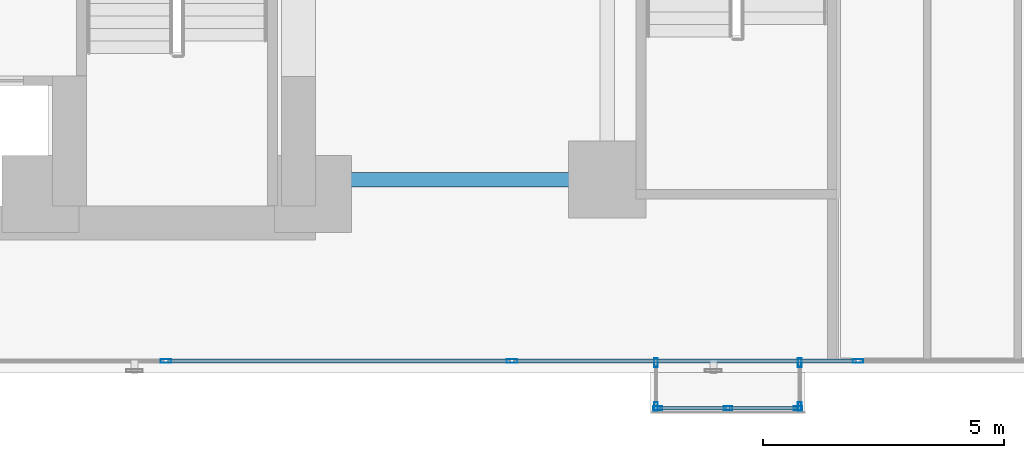
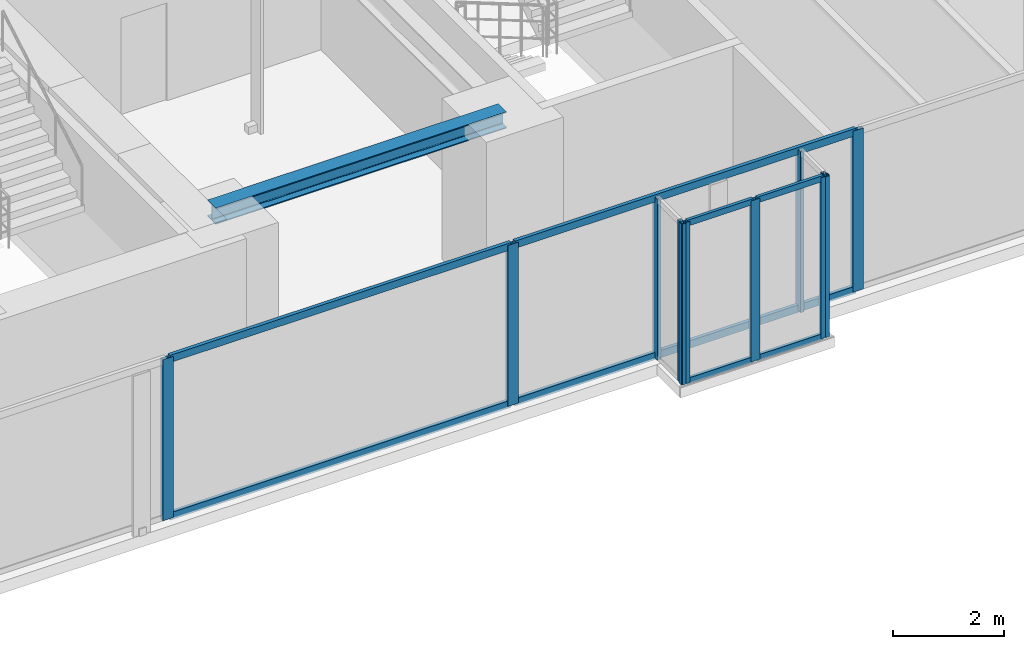
# One storey, part 4 of 27: 18 members, 1 beam, 4 elements without a shape of their own.
"""IFC4 building model written with IfcOpenShell, lengths in metres."""

from ifc_helpers import new_model, si_unit, direction, frame, origin, origin_with_axes, origin_2d, place, context, subcontext, project, spatial, hollow_rectangle, i_section, extrude, source, transform, mapped, material, layer, layer_set, material_profile, profile_set, type_object, element, aggregate, save


model = new_model("IFC4")

# Units and contexts
model_context = context("Model", 3, precision=1e-05, world=origin(), true_north=direction((0.0, 1.0)))
body_context = subcontext(model_context, "Body", "Model", "MODEL_VIEW")
ifc_project = project(units=[si_unit("LENGTHUNIT", "METRE"), si_unit("AREAUNIT", "SQUARE_METRE"), si_unit("VOLUMEUNIT", "CUBIC_METRE"), si_unit("PLANEANGLEUNIT", "RADIAN"), si_unit("MASSUNIT", "GRAM", prefix="KILO")], contexts=[model_context])

# Site, building, storey
site_placement = place(None, origin())
site = spatial("IfcSite", under=ifc_project, at=site_placement, CompositionType="ELEMENT")
building_placement = place(site_placement, origin())
building = spatial("IfcBuilding", under=site, at=building_placement, Name="Kolvaren Waterfront Exchange", CompositionType="ELEMENT")
storey_placement = place(building_placement, frame((0.0, 0.0, 63.800048828125)))
storey = spatial("IfcBuildingStorey", under=building, at=storey_placement, Name="L16", CompositionType="ELEMENT", Elevation=63.800048828125)

# Beam
ifc_material_1 = material(Name="Steel S355", Category="steel")
ifc_material_profile_1 = material_profile(ifc_material_1, i_section(OverallWidth=0.300048828125, OverallDepth=0.360107421875, WebThickness=0.012451171875, FlangeThickness=0.0224609375, FilletRadius=0.027099609375, at=origin_2d()), Name="HEB360")
ifc_profile_set_1 = profile_set([ifc_material_profile_1], Name="Steel S355")
beam_type = type_object("IfcBeamType", Name="STR-BM-HEB360", PredefinedType="SPANDREL", material=ifc_profile_set_1)
beam_placement = place(storey_placement, frame((21.14990234375, 5.199951171875, 3.35986328125), z_axis=(1.0, 0.0, 0.0), x_axis=(0.0, 1.0, 0.0)))
element("IfcBeam", 1, at=beam_placement, inside=storey, type_object=beam_type, Name="L16 east-arm spandrel S1", PredefinedType="SPANDREL", context=body_context, shape_type="SweptSolid", body=[
    extrude(i_section(OverallWidth=0.300048828125, OverallDepth=0.360107421875, WebThickness=0.012451171875, FlangeThickness=0.0224609375, FilletRadius=0.027099609375, at=origin_2d()), origin(), (0.0, 0.0, 1.0), 6.050048828125),
])

# Curtain wall, members
ifc_material_2 = material(Name="Anodised bronze aluminium 6063-T6", Category="aluminium")
ifc_layer_1 = layer(ifc_material_2, 0.219970703125, Name="Anodised bronze aluminium 6063-T6")
ifc_layer_set_1 = layer_set([ifc_layer_1], Name="Anodised bronze aluminium 6063-T6")
curtain_wall_type_1 = type_object("IfcCurtainWallType", Name="ARC-CW-SYS1", PredefinedType="USERDEFINED", material=ifc_layer_set_1)
curtain_wall_1_placement = place(storey_placement, origin())
curtain_wall_1 = element("IfcCurtainWall", 2, at=curtain_wall_1_placement, inside=storey, type_object=curtain_wall_type_1, Name="L16 stick curtain wall CW1 (CW-L16-S)", ObjectType="STICK CURTAIN WALL", PredefinedType="USERDEFINED")
ifc_material_3 = material(Name="Anodised aluminium 6063-T6", Category="aluminium")
ifc_material_profile_2 = material_profile(ifc_material_3, hollow_rectangle(XDim=0.074951171875, YDim=0.159912109375, WallThickness=0.00439453125, at=origin_2d()), Name="ALU-TRN-160x75x4.5")
ifc_profile_set_2 = profile_set([ifc_material_profile_2], Name="Anodised aluminium 6063-T6")
member_type_1 = type_object("IfcMemberType", Name="ARC-CWT-160", PredefinedType="USERDEFINED", material=ifc_profile_set_2)
shared_shape_1 = source(origin_with_axes(), body_context, "Body", "SweptSolid", [
    extrude(hollow_rectangle(XDim=0.074951171875, YDim=0.159912109375, WallThickness=0.00439453125, at=origin_2d()), origin(), (0.0, 0.0, 1.0), 7.094970703125),
])
member_1_placement = place(storey_placement, frame((18.090087890625, 1.43994140625, 0.037353515625), z_axis=(1.0, 0.0, 0.0), x_axis=(0.0, 1.0, 0.0)))
member_1 = element("IfcMember", 3, at=member_1_placement, type_object=member_type_1, Name="CW1 transom 3.1", ObjectType="TRANSOM", PredefinedType="USERDEFINED", context=body_context, shape_type="MappedRepresentation", body=[
    mapped(shared_shape_1, transform((0.0, 0.0, 0.0), x_axis=(1.0, 0.0, 0.0), y_axis=(0.0, 1.0, 0.0), z_axis=(0.0, 0.0, 1.0), scale=1.0)),
])
member_2_placement = place(storey_placement, frame((18.090087890625, 1.43994140625, 3.50244140625), z_axis=(1.0, 0.0, 0.0), x_axis=(0.0, 1.0, 0.0)))
member_2 = element("IfcMember", 4, at=member_2_placement, type_object=member_type_1, Name="CW1 transom 3.2", ObjectType="TRANSOM", PredefinedType="USERDEFINED", context=body_context, shape_type="MappedRepresentation", body=[
    mapped(shared_shape_1, transform((0.0, 0.0, 0.0), x_axis=(1.0, 0.0, 0.0), y_axis=(0.0, 1.0, 0.0), z_axis=(0.0, 0.0, 1.0), scale=1.0)),
])
shared_shape_2 = source(origin_with_axes(), body_context, "Body", "SweptSolid", [
    extrude(hollow_rectangle(XDim=0.074951171875, YDim=0.159912109375, WallThickness=0.00439453125, at=origin_2d()), origin(), (0.0, 0.0, 1.0), 7.09521484375),
])
member_3_placement = place(storey_placement, frame((25.264892578125, 1.43994140625, 0.037353515625), z_axis=(1.0, 0.0, 0.0), x_axis=(0.0, 1.0, 0.0)))
member_3 = element("IfcMember", 5, at=member_3_placement, type_object=member_type_1, Name="CW1 transom 4.1", ObjectType="TRANSOM", PredefinedType="USERDEFINED", context=body_context, shape_type="MappedRepresentation", body=[
    mapped(shared_shape_2, transform((0.0, 0.0, 0.0), x_axis=(1.0, 0.0, 0.0), y_axis=(0.0, 1.0, 0.0), z_axis=(0.0, 0.0, 1.0), scale=1.0)),
])
member_4_placement = place(storey_placement, frame((25.264892578125, 1.43994140625, 3.50244140625), z_axis=(1.0, 0.0, 0.0), x_axis=(0.0, 1.0, 0.0)))
member_4 = element("IfcMember", 6, at=member_4_placement, type_object=member_type_1, Name="CW1 transom 4.2", ObjectType="TRANSOM", PredefinedType="USERDEFINED", context=body_context, shape_type="MappedRepresentation", body=[
    mapped(shared_shape_2, transform((0.0, 0.0, 0.0), x_axis=(1.0, 0.0, 0.0), y_axis=(0.0, 1.0, 0.0), z_axis=(0.0, 0.0, 1.0), scale=1.0)),
])

ifc_layer_2 = layer(ifc_material_2, 0.219970703125, Name="Anodised bronze aluminium 6063-T6")
ifc_layer_set_2 = layer_set([ifc_layer_2], Name="Anodised bronze aluminium 6063-T6")
curtain_wall_type_2 = type_object("IfcCurtainWallType", Name="ARC-CW-SYS3", PredefinedType="USERDEFINED", material=ifc_layer_set_2)
curtain_wall_2_placement = place(storey_placement, origin())
curtain_wall_2 = element("IfcCurtainWall", 7, at=curtain_wall_2_placement, inside=storey, type_object=curtain_wall_type_2, Name="L16 stick curtain wall CW3 (CW-L16-BOX-W)", ObjectType="STICK CURTAIN WALL", PredefinedType="USERDEFINED")
ifc_material_profile_3 = material_profile(ifc_material_2, hollow_rectangle(XDim=0.074951171875, YDim=0.179931640625, WallThickness=0.00439453125, at=origin_2d()), Name="ALU-MUL-180x75x4.5")
ifc_profile_set_3 = profile_set([ifc_material_profile_3], Name="Anodised bronze aluminium 6063-T6")
member_type_2 = type_object("IfcMemberType", Name="ARC-CWM-180", PredefinedType="MULLION", material=ifc_profile_set_3)
shared_shape_3 = source(origin_with_axes(), body_context, "Body", "SweptSolid", [
    extrude(hollow_rectangle(XDim=0.074951171875, YDim=0.179931640625, WallThickness=0.00439453125, at=origin_2d()), origin(), (0.0, 0.0, 1.0), 3.5400390625),
])
member_5_placement = place(storey_placement, frame((28.2099609375, 1.402587890625, 0.0), z_axis=(0.0, 0.0, 1.0), x_axis=(1.0, 0.0, 0.0)))
member_5 = element("IfcMember", 8, at=member_5_placement, type_object=member_type_2, Name="CW3 mullion 1", PredefinedType="MULLION", context=body_context, shape_type="MappedRepresentation", body=[
    mapped(shared_shape_3, transform((0.0, 0.0, 0.0), x_axis=(1.0, 0.0, 0.0), y_axis=(0.0, 1.0, 0.0), z_axis=(0.0, 0.0, 1.0), scale=1.0)),
])
member_6_placement = place(storey_placement, frame((28.2099609375, 0.49755859375, 0.0), z_axis=(0.0, 0.0, 1.0), x_axis=(1.0, 0.0, 0.0)))
member_6 = element("IfcMember", 9, at=member_6_placement, type_object=member_type_2, Name="CW3 mullion 2", PredefinedType="MULLION", context=body_context, shape_type="MappedRepresentation", body=[
    mapped(shared_shape_3, transform((0.0, 0.0, 0.0), x_axis=(1.0, 0.0, 0.0), y_axis=(0.0, 1.0, 0.0), z_axis=(0.0, 0.0, 1.0), scale=1.0)),
])
aggregate(curtain_wall_2, [member_5, member_6])

curtain_wall_3_placement = place(storey_placement, origin())
curtain_wall_3 = element("IfcCurtainWall", 10, at=curtain_wall_3_placement, inside=storey, type_object=curtain_wall_type_2, Name="L16 stick curtain wall CW3 (CW-L16-BOX)", ObjectType="STICK CURTAIN WALL", PredefinedType="USERDEFINED")
member_7_placement = place(storey_placement, frame((28.24755859375, 0.4599609375, 0.0), z_axis=(0.0, 0.0, 1.0), x_axis=(0.0, 1.0, 0.0)))
member_7 = element("IfcMember", 11, at=member_7_placement, type_object=member_type_2, Name="CW3 mullion 1", PredefinedType="MULLION", context=body_context, shape_type="MappedRepresentation", body=[
    mapped(shared_shape_3, transform((0.0, 0.0, 0.0), x_axis=(1.0, 0.0, 0.0), y_axis=(0.0, 1.0, 0.0), z_axis=(0.0, 0.0, 1.0), scale=1.0)),
])
member_8_placement = place(storey_placement, frame((29.699951171875, 0.4599609375, 0.0), z_axis=(0.0, 0.0, 1.0), x_axis=(0.0, 1.0, 0.0)))
member_8 = element("IfcMember", 12, at=member_8_placement, type_object=member_type_2, Name="CW3 mullion 2", PredefinedType="MULLION", context=body_context, shape_type="MappedRepresentation", body=[
    mapped(shared_shape_3, transform((0.0, 0.0, 0.0), x_axis=(1.0, 0.0, 0.0), y_axis=(0.0, 1.0, 0.0), z_axis=(0.0, 0.0, 1.0), scale=1.0)),
])
member_9_placement = place(storey_placement, frame((31.152587890625, 0.4599609375, 0.0), z_axis=(0.0, 0.0, 1.0), x_axis=(0.0, 1.0, 0.0)))
member_9 = element("IfcMember", 13, at=member_9_placement, type_object=member_type_2, Name="CW3 mullion 3", PredefinedType="MULLION", context=body_context, shape_type="MappedRepresentation", body=[
    mapped(shared_shape_3, transform((0.0, 0.0, 0.0), x_axis=(1.0, 0.0, 0.0), y_axis=(0.0, 1.0, 0.0), z_axis=(0.0, 0.0, 1.0), scale=1.0)),
])

curtain_wall_4_placement = place(storey_placement, origin())
curtain_wall_4 = element("IfcCurtainWall", 14, at=curtain_wall_4_placement, inside=storey, type_object=curtain_wall_type_2, Name="L16 stick curtain wall CW3 (CW-L16-BOX-E)", ObjectType="STICK CURTAIN WALL", PredefinedType="USERDEFINED")
member_10_placement = place(storey_placement, frame((31.18994140625, 0.49755859375, 0.0), z_axis=(0.0, 0.0, 1.0), x_axis=(-1.0, 0.0, 0.0)))
member_10 = element("IfcMember", 15, at=member_10_placement, type_object=member_type_2, Name="CW3 mullion 1", PredefinedType="MULLION", context=body_context, shape_type="MappedRepresentation", body=[
    mapped(shared_shape_3, transform((0.0, 0.0, 0.0), x_axis=(1.0, 0.0, 0.0), y_axis=(0.0, 1.0, 0.0), z_axis=(0.0, 0.0, 1.0), scale=1.0)),
])
member_11_placement = place(storey_placement, frame((31.18994140625, 1.402587890625, 0.0), z_axis=(0.0, 0.0, 1.0), x_axis=(-1.0, 0.0, 0.0)))
member_11 = element("IfcMember", 16, at=member_11_placement, type_object=member_type_2, Name="CW3 mullion 2", PredefinedType="MULLION", context=body_context, shape_type="MappedRepresentation", body=[
    mapped(shared_shape_3, transform((0.0, 0.0, 0.0), x_axis=(1.0, 0.0, 0.0), y_axis=(0.0, 1.0, 0.0), z_axis=(0.0, 0.0, 1.0), scale=1.0)),
])
aggregate(curtain_wall_4, [member_10, member_11])

# Member
ifc_material_profile_4 = material_profile(ifc_material_2, hollow_rectangle(XDim=0.06494140625, YDim=0.1298828125, WallThickness=0.00390625, at=origin_2d()), Name="ALU-TRN-130x65x4")
ifc_profile_set_4 = profile_set([ifc_material_profile_4], Name="Anodised bronze aluminium 6063-T6")
member_type_3 = type_object("IfcMemberType", Name="ARC-CWT-130", PredefinedType="USERDEFINED", material=ifc_profile_set_4)
shared_shape_4 = source(origin_with_axes(), body_context, "Body", "SweptSolid", [
    extrude(hollow_rectangle(XDim=0.06494140625, YDim=0.1298828125, WallThickness=0.00390625, at=origin_2d()), origin(), (0.0, 0.0, 1.0), 1.377685546875),
])
member_12_placement = place(storey_placement, frame((28.284912109375, 0.4599609375, 0.032470703125), z_axis=(1.0, 0.0, 0.0), x_axis=(0.0, 1.0, 0.0)))
member_12 = element("IfcMember", 17, at=member_12_placement, type_object=member_type_3, Name="CW3 transom 1.1", ObjectType="TRANSOM", PredefinedType="USERDEFINED", context=body_context, shape_type="MappedRepresentation", body=[
    mapped(shared_shape_4, transform((0.0, 0.0, 0.0), x_axis=(1.0, 0.0, 0.0), y_axis=(0.0, 1.0, 0.0), z_axis=(0.0, 0.0, 1.0), scale=1.0)),
])

member_13_placement = place(storey_placement, frame((28.284912109375, 0.4599609375, 3.507568359375), z_axis=(1.0, 0.0, 0.0), x_axis=(0.0, 1.0, 0.0)))
member_13 = element("IfcMember", 18, at=member_13_placement, type_object=member_type_3, Name="CW3 transom 1.2", ObjectType="TRANSOM", PredefinedType="USERDEFINED", context=body_context, shape_type="MappedRepresentation", body=[
    mapped(shared_shape_4, transform((0.0, 0.0, 0.0), x_axis=(1.0, 0.0, 0.0), y_axis=(0.0, 1.0, 0.0), z_axis=(0.0, 0.0, 1.0), scale=1.0)),
])

shared_shape_5 = source(origin_with_axes(), body_context, "Body", "SweptSolid", [
    extrude(hollow_rectangle(XDim=0.06494140625, YDim=0.1298828125, WallThickness=0.00390625, at=origin_2d()), origin(), (0.0, 0.0, 1.0), 1.37744140625),
])
member_14_placement = place(storey_placement, frame((29.737548828125, 0.4599609375, 0.032470703125), z_axis=(1.0, 0.0, 0.0), x_axis=(0.0, 1.0, 0.0)))
member_14 = element("IfcMember", 19, at=member_14_placement, type_object=member_type_3, Name="CW3 transom 2.1", ObjectType="TRANSOM", PredefinedType="USERDEFINED", context=body_context, shape_type="MappedRepresentation", body=[
    mapped(shared_shape_5, transform((0.0, 0.0, 0.0), x_axis=(1.0, 0.0, 0.0), y_axis=(0.0, 1.0, 0.0), z_axis=(0.0, 0.0, 1.0), scale=1.0)),
])

member_15_placement = place(storey_placement, frame((29.737548828125, 0.4599609375, 3.507568359375), z_axis=(1.0, 0.0, 0.0), x_axis=(0.0, 1.0, 0.0)))
member_15 = element("IfcMember", 20, at=member_15_placement, type_object=member_type_3, Name="CW3 transom 2.2", ObjectType="TRANSOM", PredefinedType="USERDEFINED", context=body_context, shape_type="MappedRepresentation", body=[
    mapped(shared_shape_5, transform((0.0, 0.0, 0.0), x_axis=(1.0, 0.0, 0.0), y_axis=(0.0, 1.0, 0.0), z_axis=(0.0, 0.0, 1.0), scale=1.0)),
])

aggregate(curtain_wall_3, [member_7, member_8, member_9, member_12, member_13, member_14, member_15])

ifc_material_profile_5 = material_profile(ifc_material_3, hollow_rectangle(XDim=0.080078125, YDim=0.219970703125, WallThickness=0.0048828125, at=origin_2d()), Name="ALU-MUL-220x80x5")
ifc_profile_set_5 = profile_set([ifc_material_profile_5], Name="Anodised aluminium 6063-T6")
member_type_4 = type_object("IfcMemberType", Name="ARC-CWM-220", PredefinedType="MULLION", material=ifc_profile_set_5)
shared_shape_6 = source(origin_with_axes(), body_context, "Body", "SweptSolid", [
    extrude(hollow_rectangle(XDim=0.080078125, YDim=0.219970703125, WallThickness=0.0048828125, at=origin_2d()), origin(), (0.0, 0.0, 1.0), 3.5400390625),
])
member_16_placement = place(storey_placement, frame((18.050048828125, 1.43994140625, 0.0), z_axis=(0.0, 0.0, 1.0), x_axis=(0.0, 1.0, 0.0)))
member_16 = element("IfcMember", 21, at=member_16_placement, type_object=member_type_4, Name="CW1 mullion 3", PredefinedType="MULLION", context=body_context, shape_type="MappedRepresentation", body=[
    mapped(shared_shape_6, transform((0.0, 0.0, 0.0), x_axis=(1.0, 0.0, 0.0), y_axis=(0.0, 1.0, 0.0), z_axis=(0.0, 0.0, 1.0), scale=1.0)),
])

member_17_placement = place(storey_placement, frame((25.22509765625, 1.43994140625, 0.0), z_axis=(0.0, 0.0, 1.0), x_axis=(0.0, 1.0, 0.0)))
member_17 = element("IfcMember", 22, at=member_17_placement, type_object=member_type_4, Name="CW1 mullion 4", PredefinedType="MULLION", context=body_context, shape_type="MappedRepresentation", body=[
    mapped(shared_shape_6, transform((0.0, 0.0, 0.0), x_axis=(1.0, 0.0, 0.0), y_axis=(0.0, 1.0, 0.0), z_axis=(0.0, 0.0, 1.0), scale=1.0)),
])

member_18_placement = place(storey_placement, frame((32.39990234375, 1.43994140625, 0.0), z_axis=(0.0, 0.0, 1.0), x_axis=(0.0, 1.0, 0.0)))
member_18 = element("IfcMember", 23, at=member_18_placement, type_object=member_type_4, Name="CW1 mullion 5", PredefinedType="MULLION", context=body_context, shape_type="MappedRepresentation", body=[
    mapped(shared_shape_6, transform((0.0, 0.0, 0.0), x_axis=(1.0, 0.0, 0.0), y_axis=(0.0, 1.0, 0.0), z_axis=(0.0, 0.0, 1.0), scale=1.0)),
])

aggregate(curtain_wall_1, [member_16, member_17, member_18, member_1, member_2, member_3, member_4])

save(model, "model.ifc")
